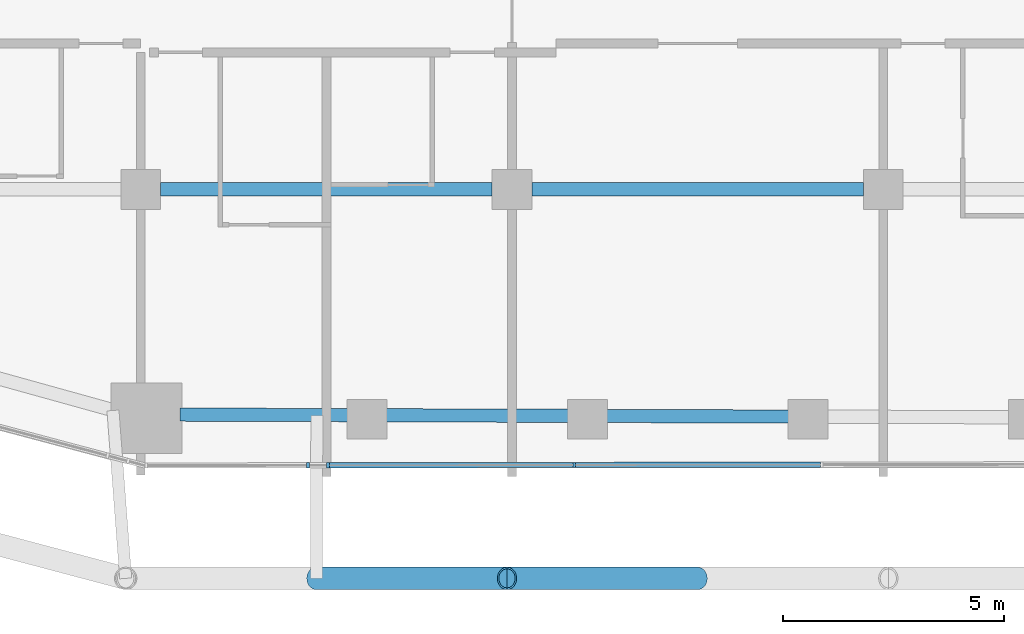
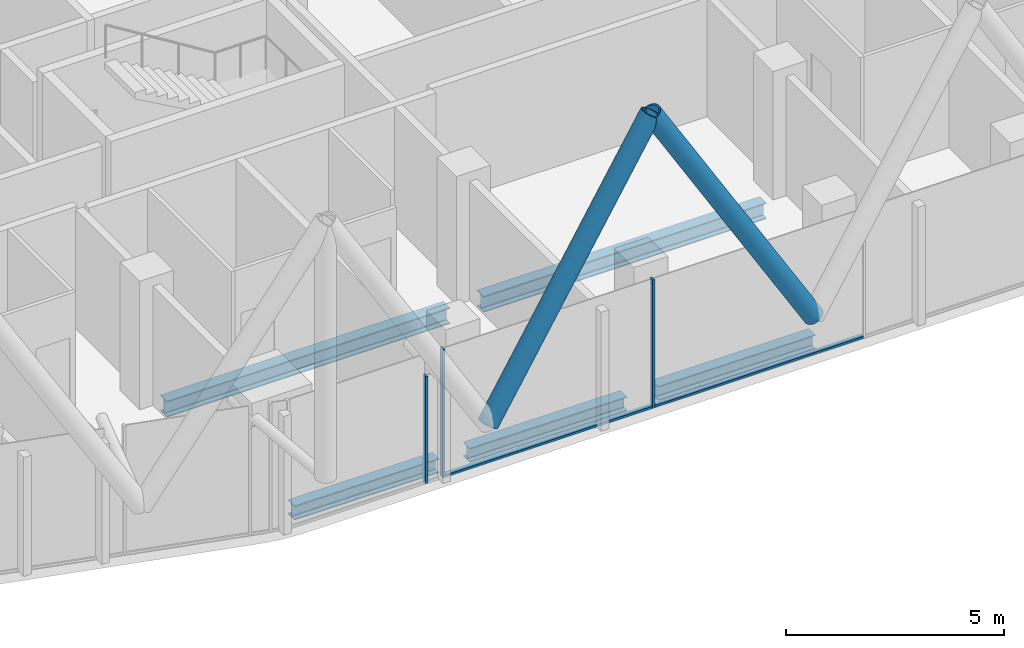
# One storey, part 3 of 36: 7 members, 5 beams, 2 elements without a shape of their own.
"""IFC4 building model written with IfcOpenShell, lengths in metres."""

from ifc_helpers import new_model, si_unit, direction, frame, origin, origin_2d, place, context, subcontext, project, spatial, rectangle, hollow_circle, i_section, extrude, material, layer, layer_set, material_profile, profile_set, type_object, element, aggregate, save


model = new_model("IFC4")

# Units and contexts
model_context = context("Model", 3, precision=1e-05, world=origin(), true_north=direction((0.0, 1.0)))
body_context = subcontext(model_context, "Body", "Model", "MODEL_VIEW")
ifc_project = project(units=[si_unit("LENGTHUNIT", "METRE"), si_unit("AREAUNIT", "SQUARE_METRE"), si_unit("VOLUMEUNIT", "CUBIC_METRE"), si_unit("PLANEANGLEUNIT", "RADIAN"), si_unit("MASSUNIT", "GRAM", prefix="KILO")], contexts=[model_context])

# Site, building, storey
site_placement = place(None, origin())
site = spatial("IfcSite", under=ifc_project, at=site_placement, CompositionType="ELEMENT")
building_placement = place(site_placement, origin())
building = spatial("IfcBuilding", under=site, at=building_placement, Name="Marenta Gate Hotel Tower", CompositionType="ELEMENT")
storey_placement = place(building_placement, frame((0.0, 0.0, 115.699951171875)))
storey = spatial("IfcBuildingStorey", under=building, at=storey_placement, Name="L25", CompositionType="ELEMENT", Elevation=115.699951171875)

# Members
ifc_material_1 = material(Name="Steel S355J2W", Category="steel")
ifc_material_profile_1 = material_profile(ifc_material_1, hollow_circle(Radius=0.25390625, WallThickness=0.0400390625, at=origin_2d()), Name="CHS 508x40")
ifc_profile_set_1 = profile_set([ifc_material_profile_1], Name="Steel S355J2W")
member_type_1 = type_object("IfcMemberType", Name="Diagrid diagonal Z2 CHS 508x40", PredefinedType="BRACE", material=ifc_profile_set_1)
for number, where, z_axis, x_axis, name in (
    (1, (0.0, -25.60009765625, 3.14013671875), (-0.513883902774, 0.0, 0.857859740558), (0.0, -1.0, 0.0), "L25-DG-18"),
    (2, (-8.6259765625, -25.60009765625, 3.14013671875), (0.513883902774, 0.0, 0.857859740558), (0.0, 1.0, 0.0), "L25-DG-19"),
):
    element("IfcMember", number, at=place(storey_placement, frame(where, z_axis=z_axis, x_axis=x_axis)), inside=storey, type_object=member_type_1, Name=name, PredefinedType="BRACE", context=body_context, shape_type="SweptSolid", body=[
        extrude(hollow_circle(Radius=0.25390625, WallThickness=0.0400390625, at=origin_2d()), origin(), (0.0, 0.0, 1.0), 8.392822265625),
    ])

# Beams
ifc_material_2 = material(Name="Steel S355", Category="steel")
ifc_material_profile_2 = material_profile(ifc_material_2, i_section(OverallWidth=0.300048828125, OverallDepth=0.39990234375, WebThickness=0.013427734375, FlangeThickness=0.02392578125, FilletRadius=0.027099609375, at=origin_2d()), Name="HEB 400")
ifc_profile_set_2 = profile_set([ifc_material_profile_2], Name="Steel S355")
beam_type_1 = type_object("IfcBeamType", Name="Edge beam HEB 400", PredefinedType="SPANDREL", material=ifc_profile_set_2)
beam_1_placement = place(storey_placement, frame((2.08349609375, -21.939453125, -0.4599609375), z_axis=(-0.999994808095, 0.003222387769, 0.0), x_axis=(-0.003222387769, -0.999994808095, 0.0)))
element("IfcBeam", 3, at=beam_1_placement, inside=storey, type_object=beam_type_1, Name="L25-EB-34", PredefinedType="SPANDREL", context=body_context, shape_type="SweptSolid", body=[
    extrude(i_section(OverallWidth=0.300048828125, OverallDepth=0.39990234375, WebThickness=0.013427734375, FlangeThickness=0.02392578125, FilletRadius=0.027099609375, at=origin_2d()), origin(), (0.0, 0.0, 1.0), 4.1669921875),
])
beam_2_placement = place(storey_placement, frame((-2.9033203125, -21.92333984375, -0.4599609375), z_axis=(-0.999994807487, 0.003222576575, 0.0), x_axis=(-0.003222576575, -0.999994807487, 0.0)))
element("IfcBeam", 4, at=beam_2_placement, inside=storey, type_object=beam_type_1, Name="L25-EB-35", PredefinedType="SPANDREL", context=body_context, shape_type="SweptSolid", body=[
    extrude(i_section(OverallWidth=0.300048828125, OverallDepth=0.39990234375, WebThickness=0.013427734375, FlangeThickness=0.02392578125, FilletRadius=0.027099609375, at=origin_2d()), origin(), (0.0, 0.0, 1.0), 4.166748046875),
])
beam_3_placement = place(storey_placement, frame((-7.89013671875, -21.907470703125, -0.4599609375), z_axis=(-0.999994677283, 0.003262729738, 0.0), x_axis=(-0.003262729738, -0.999994677283, 0.0)))
element("IfcBeam", 5, at=beam_3_placement, inside=storey, type_object=beam_type_1, Name="L25-EB-36", PredefinedType="SPANDREL", context=body_context, shape_type="SweptSolid", body=[
    extrude(i_section(OverallWidth=0.300048828125, OverallDepth=0.39990234375, WebThickness=0.013427734375, FlangeThickness=0.02392578125, FilletRadius=0.027099609375, at=origin_2d()), origin(), (0.0, 0.0, 1.0), 3.816162109375),
])
ifc_material_3 = material(Name="Steel S355", Category="steel")
ifc_material_profile_3 = material_profile(ifc_material_3, i_section(OverallWidth=0.300048828125, OverallDepth=0.449951171875, WebThickness=0.013916015625, FlangeThickness=0.02587890625, FilletRadius=0.027099609375, at=origin_2d()), Name="HEB 450")
ifc_profile_set_3 = profile_set([ifc_material_profile_3], Name="Steel S355")
beam_type_2 = type_object("IfcBeamType", Name="Girder HEB 450", PredefinedType="BEAM", material=ifc_profile_set_3)
for number, where, z_axis, x_axis, name in (
    (6, (-12.14990234375, -16.800048828125, -0.48486328125), (1.0, 0.0, 0.0), (0.0, 1.0, 0.0), "L25-GD-3"),
    (7, (-3.75, -16.800048828125, -0.48486328125), (1.0, 0.0, 0.0), (0.0, 1.0, 0.0), "L25-GD-4"),
):
    element("IfcBeam", number, at=place(storey_placement, frame(where, z_axis=z_axis, x_axis=x_axis)), inside=storey, type_object=beam_type_2, Name=name, PredefinedType="BEAM", context=body_context, shape_type="SweptSolid", body=[
        extrude(i_section(OverallWidth=0.300048828125, OverallDepth=0.449951171875, WebThickness=0.013916015625, FlangeThickness=0.02587890625, FilletRadius=0.027099609375, at=origin_2d()), origin(), (0.0, 0.0, 1.0), 7.5),
    ])

# Curtain wall, member
ifc_material_4 = material(Name="Tinted insulated glass in bronze anodised frame", Category="glass")
ifc_layer = layer(ifc_material_4, 0.1201171875)
ifc_layer_set = layer_set([ifc_layer], Name="Tinted insulated glass in bronze anodised frame")
curtain_wall_type = type_object("IfcCurtainWallType", Name="Tower unitised curtain wall CW1", PredefinedType="NOTDEFINED", material=ifc_layer_set)
curtain_wall_1_placement = place(storey_placement, origin())
curtain_wall_1 = element("IfcCurtainWall", 8, at=curtain_wall_1_placement, inside=storey, type_object=curtain_wall_type, Name="CW1 run G20", PredefinedType="NOTDEFINED")
ifc_material_5 = material(Name="Bronze anodised aluminium", Category="aluminium")
ifc_material_profile_4 = material_profile(ifc_material_5, rectangle(XDim=0.1201171875, YDim=0.06005859375, at=origin_2d()), Name="Mullion CW1 60x120 bronze anodised aluminium")
ifc_profile_set_4 = profile_set([ifc_material_profile_4], Name="Bronze anodised aluminium")
member_type_2 = type_object("IfcMemberType", Name="Mullion CW1 60x120 bronze anodised aluminium", PredefinedType="MULLION", material=ifc_profile_set_4)
member_1_placement = place(storey_placement, frame((-8.814208984375, -23.04248046875, 0.0), z_axis=(0.0, 0.0, 1.0), x_axis=(-0.001324502144, 0.999999122847, 0.0)))
member_1 = element("IfcMember", 9, at=member_1_placement, type_object=member_type_2, Name="CW1 mullion 1", PredefinedType="MULLION", context=body_context, shape_type="SweptSolid", body=[
    extrude(rectangle(XDim=0.1201171875, YDim=0.06005859375, at=origin_2d()), origin(), (0.0, 0.0, 1.0), 3.00048828125),
])
aggregate(curtain_wall_1, [member_1])

# Curtain wall, members
curtain_wall_2_placement = place(storey_placement, origin())
curtain_wall_2 = element("IfcCurtainWall", 10, at=curtain_wall_2_placement, inside=storey, type_object=curtain_wall_type, Name="CW1 run G21", PredefinedType="NOTDEFINED")
member_2_placement = place(storey_placement, frame((-8.361328125, -23.041748046875, 0.0), z_axis=(0.0, 0.0, 1.0), x_axis=(-0.001363166999, 0.999999070887, 0.0)))
member_2 = element("IfcMember", 11, at=member_2_placement, type_object=member_type_2, Name="CW1 mullion 1", PredefinedType="MULLION", context=body_context, shape_type="SweptSolid", body=[
    extrude(rectangle(XDim=0.1201171875, YDim=0.06005859375, at=origin_2d()), origin(), (0.0, 0.0, 1.0), 3.60009765625),
])
member_3_placement = place(storey_placement, frame((-2.79150390625, -23.0341796875, 0.0), z_axis=(0.0, 0.0, 1.0), x_axis=(-0.001363166999, 0.999999070887, 0.0)))
member_3 = element("IfcMember", 12, at=member_3_placement, type_object=member_type_2, Name="CW1 mullion 2", PredefinedType="MULLION", context=body_context, shape_type="SweptSolid", body=[
    extrude(rectangle(XDim=0.1201171875, YDim=0.06005859375, at=origin_2d()), origin(), (0.0, 0.0, 1.0), 3.60009765625),
])
ifc_material_6 = material(Name="Bronze anodised aluminium", Category="aluminium")
ifc_material_profile_5 = material_profile(ifc_material_6, rectangle(XDim=0.1201171875, YDim=0.06005859375, at=origin_2d()), Name="Transom CW1 60x120 bronze anodised aluminium")
ifc_profile_set_5 = profile_set([ifc_material_profile_5], Name="Bronze anodised aluminium")
member_type_3 = type_object("IfcMemberType", Name="Transom CW1 60x120 bronze anodised aluminium", PredefinedType="USERDEFINED", material=ifc_profile_set_5)
member_4_placement = place(storey_placement, frame((-8.331298828125, -23.041748046875, 0.030029296875), z_axis=(0.999999116461, 0.001329314671, 0.0), x_axis=(-0.001329314671, 0.999999116461, 0.0)))
member_4 = element("IfcMember", 13, at=member_4_placement, type_object=member_type_3, Name="CW1 transom 1.1", ObjectType="TRANSOM", PredefinedType="USERDEFINED", context=body_context, shape_type="SweptSolid", body=[
    extrude(rectangle(XDim=0.1201171875, YDim=0.06005859375, at=origin_2d()), origin(), (0.0, 0.0, 1.0), 5.509765625),
])
member_5_placement = place(storey_placement, frame((-2.76171875, -23.0341796875, 0.030029296875), z_axis=(0.999999066777, 0.001366179149, 0.0), x_axis=(-0.001366179149, 0.999999066777, 0.0)))
member_5 = element("IfcMember", 14, at=member_5_placement, type_object=member_type_3, Name="CW1 transom 2.1", ObjectType="TRANSOM", PredefinedType="USERDEFINED", context=body_context, shape_type="SweptSolid", body=[
    extrude(rectangle(XDim=0.1201171875, YDim=0.06005859375, at=origin_2d()), origin(), (0.0, 0.0, 1.0), 5.539794921875),
])
aggregate(curtain_wall_2, [member_2, member_3, member_4, member_5])

save(model, "model.ifc")
